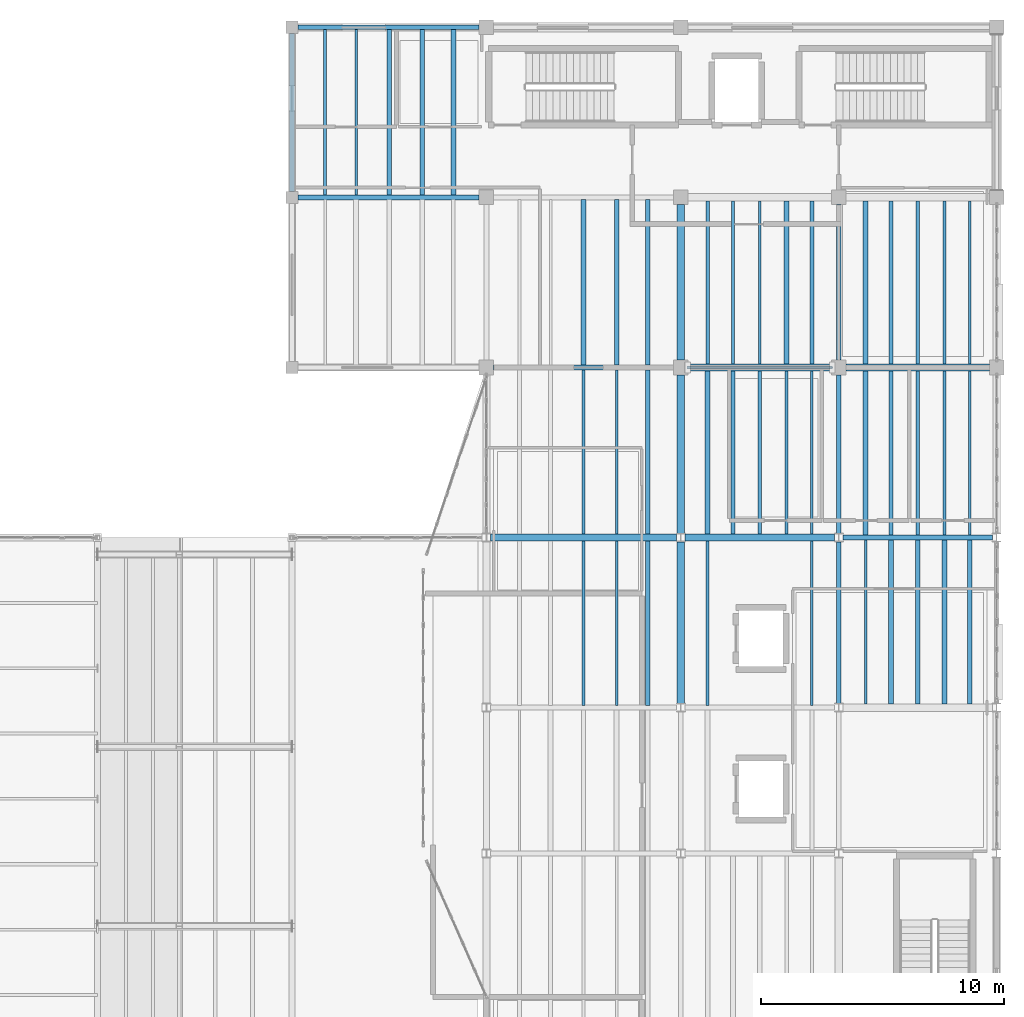
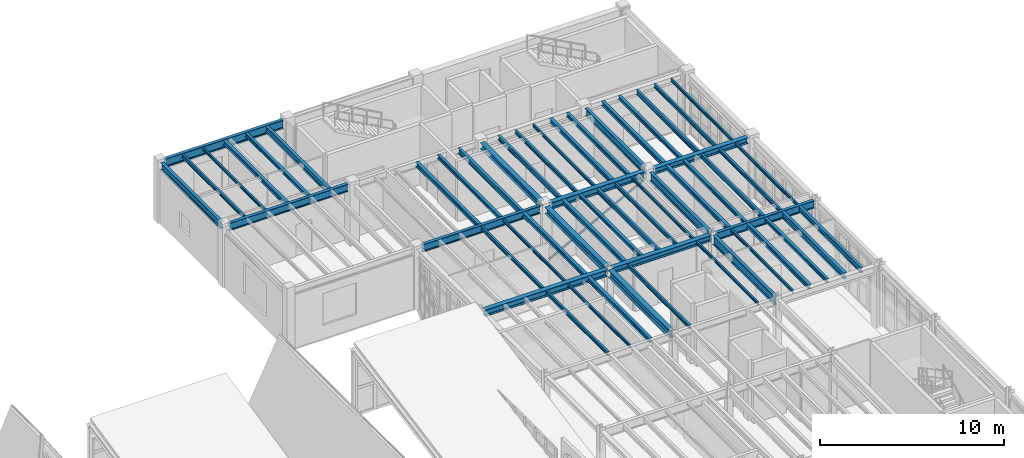
# One storey, part 40 of 77: 56 beams, 1 member.
"""IFC4 building model written with IfcOpenShell, lengths in metres."""

from ifc_helpers import new_model, si_unit, direction, frame, origin, origin_2d, place, context, subcontext, project, spatial, hollow_circle, i_section, extrude, material, material_profile, profile_set, type_object, element, save


model = new_model("IFC4")

# Units and contexts
model_context = context("Model", 3, precision=1e-05, world=origin(), true_north=direction((0.0, 1.0)))
body_context = subcontext(model_context, "Body", "Model", "MODEL_VIEW")
ifc_project = project(units=[si_unit("LENGTHUNIT", "METRE"), si_unit("AREAUNIT", "SQUARE_METRE"), si_unit("VOLUMEUNIT", "CUBIC_METRE"), si_unit("PLANEANGLEUNIT", "RADIAN"), si_unit("MASSUNIT", "GRAM", prefix="KILO"), si_unit("THERMODYNAMICTEMPERATUREUNIT", "KELVIN"), si_unit("POWERUNIT", "WATT")], contexts=[model_context])

# Site, building, storey
site_placement = place(None, origin())
site = spatial("IfcSite", under=ifc_project, at=site_placement, CompositionType="ELEMENT")
building_placement = place(site_placement, origin())
building = spatial("IfcBuilding", under=site, at=building_placement, Name="Zhenchuan Central Fire Station", CompositionType="ELEMENT")
storey_placement = place(building_placement, frame((0.0, 0.0, 10.050048828125)))
storey = spatial("IfcBuildingStorey", under=building, at=storey_placement, Name="L03", CompositionType="ELEMENT", Elevation=10.050048828125)

# Beams
ifc_material = material(Name="Steel Q355B", Category="steel")
ifc_material_profile_1 = material_profile(ifc_material, i_section(OverallWidth=0.300048828125, OverallDepth=0.389892578125, WebThickness=0.010009765625, FlangeThickness=0.01611328125, FilletRadius=0.02001953125, at=origin_2d()), Name="HM 390x300")
ifc_profile_set_1 = profile_set([ifc_material_profile_1], Name="Steel Q355B")
beam_type_1 = type_object("IfcBeamType", Name="BM-HM390-INT", PredefinedType="BEAM", material=ifc_profile_set_1)
beam_1_placement = place(storey_placement, frame((148.175048828125, 35.5, 3.804931640625), z_axis=(1.0, 0.0, 0.0), x_axis=(0.0, 1.0, 0.0)))
element("IfcBeam", 1, at=beam_1_placement, inside=storey, type_object=beam_type_1, Name="L04 Girder EW 0360", PredefinedType="BEAM", context=body_context, shape_type="SweptSolid", body=[
    extrude(i_section(OverallWidth=0.300048828125, OverallDepth=0.389892578125, WebThickness=0.010009765625, FlangeThickness=0.01611328125, FilletRadius=0.02001953125, at=origin_2d()), origin(), (0.0, 0.0, 1.0), 6.14990234375),
])
beam_2_placement = place(storey_placement, frame((154.800048828125, 42.5, 3.804931640625), z_axis=(1.0, 0.0, 0.0), x_axis=(0.0, 1.0, 0.0)))
element("IfcBeam", 2, at=beam_2_placement, inside=storey, type_object=beam_type_1, Name="L04 Girder EW 0371", PredefinedType="BEAM", context=body_context, shape_type="SweptSolid", body=[
    extrude(i_section(OverallWidth=0.300048828125, OverallDepth=0.389892578125, WebThickness=0.010009765625, FlangeThickness=0.01611328125, FilletRadius=0.02001953125, at=origin_2d()), origin(), (0.0, 0.0, 1.0), 5.89990234375),
])
beam_3_placement = place(storey_placement, frame((148.0, 42.800048828125, 3.804931640625), z_axis=(0.0, 1.0, 0.0), x_axis=(-1.0, 0.0, 0.0)))
element("IfcBeam", 3, at=beam_3_placement, inside=storey, type_object=beam_type_1, Name="L04 Girder NS 0415", PredefinedType="BEAM", context=body_context, shape_type="SweptSolid", body=[
    extrude(i_section(OverallWidth=0.300048828125, OverallDepth=0.389892578125, WebThickness=0.010009765625, FlangeThickness=0.01611328125, FilletRadius=0.02001953125, at=origin_2d()), origin(), (0.0, 0.0, 1.0), 6.39990234375),
])
ifc_material_profile_2 = material_profile(ifc_material, i_section(OverallWidth=0.300048828125, OverallDepth=0.43994140625, WebThickness=0.010986328125, FlangeThickness=0.01806640625, FilletRadius=0.02197265625, at=origin_2d()), Name="HM 440x300")
ifc_profile_set_2 = profile_set([ifc_material_profile_2], Name="Steel Q355B")
beam_type_2 = type_object("IfcBeamType", Name="BM-HM440-INT", PredefinedType="BEAM", material=ifc_profile_set_2)
beam_4_placement = place(storey_placement, frame((140.175048828125, 35.5, 3.780029296875), z_axis=(1.0, 0.0, 0.0), x_axis=(0.0, 1.0, 0.0)))
element("IfcBeam", 4, at=beam_4_placement, inside=storey, type_object=beam_type_2, Name="L04 Girder EW 0359", PredefinedType="BEAM", context=body_context, shape_type="SweptSolid", body=[
    extrude(i_section(OverallWidth=0.300048828125, OverallDepth=0.43994140625, WebThickness=0.010986328125, FlangeThickness=0.01806640625, FilletRadius=0.02197265625, at=origin_2d()), origin(), (0.0, 0.0, 1.0), 7.64990234375),
])
beam_5_placement = place(storey_placement, frame((148.300048828125, 42.5, 3.780029296875), z_axis=(1.0, 0.0, 0.0), x_axis=(0.0, 1.0, 0.0)))
element("IfcBeam", 5, at=beam_5_placement, inside=storey, type_object=beam_type_2, Name="L04 Girder EW 0370", PredefinedType="BEAM", context=body_context, shape_type="SweptSolid", body=[
    extrude(i_section(OverallWidth=0.300048828125, OverallDepth=0.43994140625, WebThickness=0.010986328125, FlangeThickness=0.01806640625, FilletRadius=0.02197265625, at=origin_2d()), origin(), (0.0, 0.0, 1.0), 5.89990234375),
])
beam_6_placement = place(storey_placement, frame((148.0, 35.675048828125, 3.780029296875), z_axis=(0.0, 1.0, 0.0), x_axis=(-1.0, 0.0, 0.0)))
element("IfcBeam", 6, at=beam_6_placement, inside=storey, type_object=beam_type_2, Name="L04 Girder NS 0414", PredefinedType="BEAM", context=body_context, shape_type="SweptSolid", body=[
    extrude(i_section(OverallWidth=0.300048828125, OverallDepth=0.43994140625, WebThickness=0.010986328125, FlangeThickness=0.01806640625, FilletRadius=0.02197265625, at=origin_2d()), origin(), (0.0, 0.0, 1.0), 6.52490234375),
])
ifc_material_profile_3 = material_profile(ifc_material, i_section(OverallWidth=0.300048828125, OverallDepth=0.5, WebThickness=0.010986328125, FlangeThickness=0.01806640625, FilletRadius=0.02197265625, at=origin_2d()), Name="HM 500x300")
ifc_profile_set_3 = profile_set([ifc_material_profile_3], Name="Steel Q355B")
beam_type_3 = type_object("IfcBeamType", Name="BM-HM500-INT", PredefinedType="BEAM", material=ifc_profile_set_3)
beam_7_placement = place(storey_placement, frame((148.0, 28.675048828125, 3.75), z_axis=(0.0, 1.0, 0.0), x_axis=(-1.0, 0.0, 0.0)))
element("IfcBeam", 7, at=beam_7_placement, inside=storey, type_object=beam_type_3, Name="L04 Girder NS 0413", PredefinedType="BEAM", context=body_context, shape_type="SweptSolid", body=[
    extrude(i_section(OverallWidth=0.300048828125, OverallDepth=0.5, WebThickness=0.010986328125, FlangeThickness=0.01806640625, FilletRadius=0.02197265625, at=origin_2d()), origin(), (0.0, 0.0, 1.0), 6.64990234375),
])
ifc_material_profile_4 = material_profile(ifc_material, i_section(OverallWidth=0.199951171875, OverallDepth=0.449951171875, WebThickness=0.009033203125, FlangeThickness=0.013916015625, FilletRadius=0.01806640625, at=origin_2d()), Name="HN 450x200")
ifc_profile_set_4 = profile_set([ifc_material_profile_4], Name="Steel Q355B")
beam_type_4 = type_object("IfcBeamType", Name="BM-HN450", PredefinedType="BEAM", material=ifc_profile_set_4)
beam_8_placement = place(storey_placement, frame((132.0, 49.75, 3.77490234375), z_axis=(0.0, 1.0, 0.0), x_axis=(-1.0, 0.0, 0.0)))
element("IfcBeam", 8, at=beam_8_placement, inside=storey, type_object=beam_type_4, Name="L04 Girder NS 0401", PredefinedType="BEAM", context=body_context, shape_type="SweptSolid", body=[
    extrude(i_section(OverallWidth=0.199951171875, OverallDepth=0.449951171875, WebThickness=0.009033203125, FlangeThickness=0.013916015625, FilletRadius=0.01806640625, at=origin_2d()), origin(), (0.0, 0.0, 1.0), 6.5),
])
ifc_material_profile_5 = material_profile(ifc_material, i_section(OverallWidth=0.199951171875, OverallDepth=0.5, WebThickness=0.010009765625, FlangeThickness=0.01611328125, FilletRadius=0.02001953125, at=origin_2d()), Name="HN 500x200")
ifc_profile_set_5 = profile_set([ifc_material_profile_5], Name="Steel Q355B")
beam_type_5 = type_object("IfcBeamType", Name="BM-HN500-INT", PredefinedType="BEAM", material=ifc_profile_set_5)
beam_9_placement = place(storey_placement, frame((132.25, 49.5, 3.75), z_axis=(1.0, 0.0, 0.0), x_axis=(0.0, 1.0, 0.0)))
element("IfcBeam", 9, at=beam_9_placement, inside=storey, type_object=beam_type_5, Name="L04 Girder EW 0378", PredefinedType="BEAM", context=body_context, shape_type="SweptSolid", body=[
    extrude(i_section(OverallWidth=0.199951171875, OverallDepth=0.5, WebThickness=0.010009765625, FlangeThickness=0.01611328125, FilletRadius=0.02001953125, at=origin_2d()), origin(), (0.0, 0.0, 1.0), 7.449951171875),
])
beam_10_placement = place(storey_placement, frame((154.5, 42.800048828125, 3.75), z_axis=(0.0, 1.0, 0.0), x_axis=(-1.0, 0.0, 0.0)))
element("IfcBeam", 10, at=beam_10_placement, inside=storey, type_object=beam_type_5, Name="L04 Girder NS 0422", PredefinedType="BEAM", context=body_context, shape_type="SweptSolid", body=[
    extrude(i_section(OverallWidth=0.199951171875, OverallDepth=0.5, WebThickness=0.010009765625, FlangeThickness=0.01611328125, FilletRadius=0.02001953125, at=origin_2d()), origin(), (0.0, 0.0, 1.0), 6.39990234375),
])
ifc_material_profile_6 = material_profile(ifc_material, i_section(OverallWidth=0.199951171875, OverallDepth=0.550048828125, WebThickness=0.010009765625, FlangeThickness=0.01611328125, FilletRadius=0.02001953125, at=origin_2d()), Name="HN 550x200")
ifc_profile_set_6 = profile_set([ifc_material_profile_6], Name="Steel Q355B")
beam_type_6 = type_object("IfcBeamType", Name="BM-HN550", PredefinedType="BEAM", material=ifc_profile_set_6)
beam_11_placement = place(storey_placement, frame((132.25, 56.5, 3.724853515625), z_axis=(1.0, 0.0, 0.0), x_axis=(0.0, 1.0, 0.0)))
element("IfcBeam", 11, at=beam_11_placement, inside=storey, type_object=beam_type_6, Name="L04 Girder EW 0388", PredefinedType="BEAM", context=body_context, shape_type="SweptSolid", body=[
    extrude(i_section(OverallWidth=0.199951171875, OverallDepth=0.550048828125, WebThickness=0.010009765625, FlangeThickness=0.01611328125, FilletRadius=0.02001953125, at=origin_2d()), origin(), (0.0, 0.0, 1.0), 7.449951171875),
])
ifc_material_profile_7 = material_profile(ifc_material, i_section(OverallWidth=0.199951171875, OverallDepth=0.550048828125, WebThickness=0.010009765625, FlangeThickness=0.01611328125, FilletRadius=0.02001953125, at=origin_2d()), Name="HN 550x200")
ifc_profile_set_7 = profile_set([ifc_material_profile_7], Name="Steel Q355B")
beam_type_7 = type_object("IfcBeamType", Name="BM-HN550-INT", PredefinedType="BEAM", material=ifc_profile_set_7)
beam_12_placement = place(storey_placement, frame((154.5, 35.675048828125, 3.724853515625), z_axis=(0.0, 1.0, 0.0), x_axis=(-1.0, 0.0, 0.0)))
element("IfcBeam", 12, at=beam_12_placement, inside=storey, type_object=beam_type_7, Name="L04 Girder NS 0421", PredefinedType="BEAM", context=body_context, shape_type="SweptSolid", body=[
    extrude(i_section(OverallWidth=0.199951171875, OverallDepth=0.550048828125, WebThickness=0.010009765625, FlangeThickness=0.01611328125, FilletRadius=0.02001953125, at=origin_2d()), origin(), (0.0, 0.0, 1.0), 6.52490234375),
])
ifc_material_profile_8 = material_profile(ifc_material, i_section(OverallWidth=0.199951171875, OverallDepth=0.60009765625, WebThickness=0.010986328125, FlangeThickness=0.01708984375, FilletRadius=0.02197265625, at=origin_2d()), Name="HN 600x200")
ifc_profile_set_8 = profile_set([ifc_material_profile_8], Name="Steel Q355B")
beam_type_8 = type_object("IfcBeamType", Name="BM-HN600-INT", PredefinedType="BEAM", material=ifc_profile_set_8)
beam_13_placement = place(storey_placement, frame((154.5, 28.675048828125, 3.699951171875), z_axis=(0.0, 1.0, 0.0), x_axis=(-1.0, 0.0, 0.0)))
element("IfcBeam", 13, at=beam_13_placement, inside=storey, type_object=beam_type_8, Name="L04 Girder NS 0420", PredefinedType="BEAM", context=body_context, shape_type="SweptSolid", body=[
    extrude(i_section(OverallWidth=0.199951171875, OverallDepth=0.60009765625, WebThickness=0.010986328125, FlangeThickness=0.01708984375, FilletRadius=0.02197265625, at=origin_2d()), origin(), (0.0, 0.0, 1.0), 6.64990234375),
])
ifc_material_profile_9 = material_profile(ifc_material, i_section(OverallWidth=0.175048828125, OverallDepth=0.243896484375, WebThickness=0.007080078125, FlangeThickness=0.010986328125, FilletRadius=0.012939453125, at=origin_2d()), Name="HM 244x175")
ifc_profile_set_9 = profile_set([ifc_material_profile_9], Name="Steel Q355B")
beam_type_9 = type_object("IfcBeamType", Name="JS-HM244", PredefinedType="JOIST", material=ifc_profile_set_9)
beam_14_placement = place(storey_placement, frame((157.75, 28.64697265625, 3.8779296875), z_axis=(0.0, 1.0, 0.0), x_axis=(-1.0, 0.0, 0.0)))
element("IfcBeam", 14, at=beam_14_placement, inside=storey, type_object=beam_type_9, Name="L04 Secondary Joist 0616", PredefinedType="JOIST", context=body_context, shape_type="SweptSolid", body=[
    extrude(i_section(OverallWidth=0.175048828125, OverallDepth=0.243896484375, WebThickness=0.007080078125, FlangeThickness=0.010986328125, FilletRadius=0.012939453125, at=origin_2d()), origin(), (0.0, 0.0, 1.0), 6.756103515625),
])
beam_15_placement = place(storey_placement, frame((150.14501953125, 35.64697265625, 3.8779296875), z_axis=(0.0, 1.0, 0.0), x_axis=(-1.0, 0.0, 0.0)))
element("IfcBeam", 15, at=beam_15_placement, inside=storey, type_object=beam_type_9, Name="L04 Secondary Joist 0625", PredefinedType="JOIST", context=body_context, shape_type="SweptSolid", body=[
    extrude(i_section(OverallWidth=0.175048828125, OverallDepth=0.243896484375, WebThickness=0.007080078125, FlangeThickness=0.010986328125, FilletRadius=0.012939453125, at=origin_2d()), origin(), (0.0, 0.0, 1.0), 6.7060546875),
])
beam_16_placement = place(storey_placement, frame((156.64501953125, 35.596923828125, 3.8779296875), z_axis=(0.0, 1.0, 0.0), x_axis=(-1.0, 0.0, 0.0)))
element("IfcBeam", 16, at=beam_16_placement, inside=storey, type_object=beam_type_9, Name="L04 Secondary Joist 0630", PredefinedType="JOIST", context=body_context, shape_type="SweptSolid", body=[
    extrude(i_section(OverallWidth=0.175048828125, OverallDepth=0.243896484375, WebThickness=0.007080078125, FlangeThickness=0.010986328125, FilletRadius=0.012939453125, at=origin_2d()), origin(), (0.0, 0.0, 1.0), 6.756103515625),
])
beam_17_placement = place(storey_placement, frame((145.360107421875, 42.596923828125, 3.8779296875), z_axis=(0.0, 1.0, 0.0), x_axis=(-1.0, 0.0, 0.0)))
element("IfcBeam", 17, at=beam_17_placement, inside=storey, type_object=beam_type_9, Name="L04 Secondary Joist 0672", PredefinedType="JOIST", context=body_context, shape_type="SweptSolid", body=[
    extrude(i_section(OverallWidth=0.175048828125, OverallDepth=0.243896484375, WebThickness=0.007080078125, FlangeThickness=0.010986328125, FilletRadius=0.012939453125, at=origin_2d()), origin(), (0.0, 0.0, 1.0), 6.80615234375),
])
for number, where, z_axis, x_axis, name in (
    (18, (153.39501953125, 42.64697265625, 3.8779296875), (0.0, 1.0, 0.0), (-1.0, 0.0, 0.0), "L04 Secondary Joist 0678"),
    (19, (156.64501953125, 42.64697265625, 3.8779296875), (0.0, 1.0, 0.0), (-1.0, 0.0, 0.0), "L04 Secondary Joist 0680"),
):
    element("IfcBeam", number, at=place(storey_placement, frame(where, z_axis=z_axis, x_axis=x_axis)), inside=storey, type_object=beam_type_9, Name=name, PredefinedType="JOIST", context=body_context, shape_type="SweptSolid", body=[
        extrude(i_section(OverallWidth=0.175048828125, OverallDepth=0.243896484375, WebThickness=0.007080078125, FlangeThickness=0.010986328125, FilletRadius=0.012939453125, at=origin_2d()), origin(), (0.0, 0.0, 1.0), 6.7060546875),
    ])
beam_18_placement = place(storey_placement, frame((137.360107421875, 49.596923828125, 3.8779296875), z_axis=(0.0, 1.0, 0.0), x_axis=(-1.0, 0.0, 0.0)))
element("IfcBeam", 20, at=beam_18_placement, inside=storey, type_object=beam_type_9, Name="L04 Secondary Joist 0700", PredefinedType="JOIST", context=body_context, shape_type="SweptSolid", body=[
    extrude(i_section(OverallWidth=0.175048828125, OverallDepth=0.243896484375, WebThickness=0.007080078125, FlangeThickness=0.010986328125, FilletRadius=0.012939453125, at=origin_2d()), origin(), (0.0, 0.0, 1.0), 6.80615234375),
])
ifc_material_profile_10 = material_profile(ifc_material, i_section(OverallWidth=0.199951171875, OverallDepth=0.2939453125, WebThickness=0.008056640625, FlangeThickness=0.011962890625, FilletRadius=0.01611328125, at=origin_2d()), Name="HM 294x200")
ifc_profile_set_10 = profile_set([ifc_material_profile_10], Name="Steel Q355B")
beam_type_10 = type_object("IfcBeamType", Name="JS-HM294", PredefinedType="JOIST", material=ifc_profile_set_10)
for number, where, z_axis, x_axis, name in (
    (21, (146.639892578125, 28.596923828125, 3.85302734375), (0.0, 1.0, 0.0), (-1.0, 0.0, 0.0), "L04 Secondary Joist 0611"),
    (22, (156.64501953125, 28.64697265625, 3.85302734375), (0.0, 1.0, 0.0), (-1.0, 0.0, 0.0), "L04 Secondary Joist 0615"),
    (23, (146.639892578125, 35.64697265625, 3.85302734375), (0.0, 1.0, 0.0), (-1.0, 0.0, 0.0), "L04 Secondary Joist 0623"),
):
    element("IfcBeam", number, at=place(storey_placement, frame(where, z_axis=z_axis, x_axis=x_axis)), inside=storey, type_object=beam_type_10, Name=name, PredefinedType="JOIST", context=body_context, shape_type="SweptSolid", body=[
        extrude(i_section(OverallWidth=0.199951171875, OverallDepth=0.2939453125, WebThickness=0.008056640625, FlangeThickness=0.011962890625, FilletRadius=0.01611328125, at=origin_2d()), origin(), (0.0, 0.0, 1.0), 6.756103515625),
    ])
beam_19_placement = place(storey_placement, frame((149.10498046875, 35.64697265625, 3.85302734375), z_axis=(0.0, 1.0, 0.0), x_axis=(-1.0, 0.0, 0.0)))
element("IfcBeam", 24, at=beam_19_placement, inside=storey, type_object=beam_type_10, Name="L04 Secondary Joist 0624", PredefinedType="JOIST", context=body_context, shape_type="SweptSolid", body=[
    extrude(i_section(OverallWidth=0.199951171875, OverallDepth=0.2939453125, WebThickness=0.008056640625, FlangeThickness=0.011962890625, FilletRadius=0.01611328125, at=origin_2d()), origin(), (0.0, 0.0, 1.0), 6.7060546875),
])
beam_20_placement = place(storey_placement, frame((155.60498046875, 35.596923828125, 3.85302734375), z_axis=(0.0, 1.0, 0.0), x_axis=(-1.0, 0.0, 0.0)))
element("IfcBeam", 25, at=beam_20_placement, inside=storey, type_object=beam_type_10, Name="L04 Secondary Joist 0629", PredefinedType="JOIST", context=body_context, shape_type="SweptSolid", body=[
    extrude(i_section(OverallWidth=0.199951171875, OverallDepth=0.2939453125, WebThickness=0.008056640625, FlangeThickness=0.011962890625, FilletRadius=0.01611328125, at=origin_2d()), origin(), (0.0, 0.0, 1.0), 6.756103515625),
])
beam_21_placement = place(storey_placement, frame((144.0, 42.596923828125, 3.85302734375), z_axis=(0.0, 1.0, 0.0), x_axis=(-1.0, 0.0, 0.0)))
element("IfcBeam", 26, at=beam_21_placement, inside=storey, type_object=beam_type_10, Name="L04 Secondary Joist 0671", PredefinedType="JOIST", context=body_context, shape_type="SweptSolid", body=[
    extrude(i_section(OverallWidth=0.199951171875, OverallDepth=0.2939453125, WebThickness=0.008056640625, FlangeThickness=0.011962890625, FilletRadius=0.01611328125, at=origin_2d()), origin(), (0.0, 0.0, 1.0), 6.80615234375),
])
for number, where, z_axis, x_axis, name in (
    (27, (152.35498046875, 42.64697265625, 3.85302734375), (0.0, 1.0, 0.0), (-1.0, 0.0, 0.0), "L04 Secondary Joist 0677"),
    (28, (155.60498046875, 42.64697265625, 3.85302734375), (0.0, 1.0, 0.0), (-1.0, 0.0, 0.0), "L04 Secondary Joist 0679"),
):
    element("IfcBeam", number, at=place(storey_placement, frame(where, z_axis=z_axis, x_axis=x_axis)), inside=storey, type_object=beam_type_10, Name=name, PredefinedType="JOIST", context=body_context, shape_type="SweptSolid", body=[
        extrude(i_section(OverallWidth=0.199951171875, OverallDepth=0.2939453125, WebThickness=0.008056640625, FlangeThickness=0.011962890625, FilletRadius=0.01611328125, at=origin_2d()), origin(), (0.0, 0.0, 1.0), 6.7060546875),
    ])
beam_22_placement = place(storey_placement, frame((136.0, 49.596923828125, 3.85302734375), z_axis=(0.0, 1.0, 0.0), x_axis=(-1.0, 0.0, 0.0)))
element("IfcBeam", 29, at=beam_22_placement, inside=storey, type_object=beam_type_10, Name="L04 Secondary Joist 0699", PredefinedType="JOIST", context=body_context, shape_type="SweptSolid", body=[
    extrude(i_section(OverallWidth=0.199951171875, OverallDepth=0.2939453125, WebThickness=0.008056640625, FlangeThickness=0.011962890625, FilletRadius=0.01611328125, at=origin_2d()), origin(), (0.0, 0.0, 1.0), 6.80615234375),
])
ifc_material_profile_11 = material_profile(ifc_material, i_section(OverallWidth=0.10009765625, OverallDepth=0.199951171875, WebThickness=0.005615234375, FlangeThickness=0.008056640625, FilletRadius=0.010986328125, at=origin_2d()), Name="HN 200x100")
ifc_profile_set_11 = profile_set([ifc_material_profile_11], Name="Steel Q355B")
beam_type_11 = type_object("IfcBeamType", Name="JS-HN200", PredefinedType="JOIST", material=ifc_profile_set_11)
for number, where, z_axis, x_axis, name in (
    (30, (145.360107421875, 28.596923828125, 3.89990234375), (0.0, 1.0, 0.0), (-1.0, 0.0, 0.0), "L04 Secondary Joist 0610"),
    (31, (153.39501953125, 28.596923828125, 3.89990234375), (0.0, 1.0, 0.0), (-1.0, 0.0, 0.0), "L04 Secondary Joist 0613"),
    (32, (155.60498046875, 28.64697265625, 3.89990234375), (0.0, 1.0, 0.0), (-1.0, 0.0, 0.0), "L04 Secondary Joist 0614"),
    (33, (145.360107421875, 35.64697265625, 3.89990234375), (0.0, 1.0, 0.0), (-1.0, 0.0, 0.0), "L04 Secondary Joist 0622"),
):
    element("IfcBeam", number, at=place(storey_placement, frame(where, z_axis=z_axis, x_axis=x_axis)), inside=storey, type_object=beam_type_11, Name=name, PredefinedType="JOIST", context=body_context, shape_type="SweptSolid", body=[
        extrude(i_section(OverallWidth=0.10009765625, OverallDepth=0.199951171875, WebThickness=0.005615234375, FlangeThickness=0.008056640625, FilletRadius=0.010986328125, at=origin_2d()), origin(), (0.0, 0.0, 1.0), 6.756103515625),
    ])
beam_23_placement = place(storey_placement, frame((153.39501953125, 35.64697265625, 3.89990234375), z_axis=(0.0, 1.0, 0.0), x_axis=(-1.0, 0.0, 0.0)))
element("IfcBeam", 34, at=beam_23_placement, inside=storey, type_object=beam_type_11, Name="L04 Secondary Joist 0628", PredefinedType="JOIST", context=body_context, shape_type="SweptSolid", body=[
    extrude(i_section(OverallWidth=0.10009765625, OverallDepth=0.199951171875, WebThickness=0.005615234375, FlangeThickness=0.008056640625, FilletRadius=0.010986328125, at=origin_2d()), origin(), (0.0, 0.0, 1.0), 6.7060546875),
])
beam_24_placement = place(storey_placement, frame((159.89501953125, 35.596923828125, 3.89990234375), z_axis=(0.0, 1.0, 0.0), x_axis=(-1.0, 0.0, 0.0)))
element("IfcBeam", 35, at=beam_24_placement, inside=storey, type_object=beam_type_11, Name="L04 Secondary Joist 0633", PredefinedType="JOIST", context=body_context, shape_type="SweptSolid", body=[
    extrude(i_section(OverallWidth=0.10009765625, OverallDepth=0.199951171875, WebThickness=0.005615234375, FlangeThickness=0.008056640625, FilletRadius=0.010986328125, at=origin_2d()), origin(), (0.0, 0.0, 1.0), 6.756103515625),
])
for number, where, z_axis, x_axis, name in (
    (36, (151.25, 42.64697265625, 3.89990234375), (0.0, 1.0, 0.0), (-1.0, 0.0, 0.0), "L04 Secondary Joist 0676"),
    (37, (159.89501953125, 42.64697265625, 3.89990234375), (0.0, 1.0, 0.0), (-1.0, 0.0, 0.0), "L04 Secondary Joist 0683"),
):
    element("IfcBeam", number, at=place(storey_placement, frame(where, z_axis=z_axis, x_axis=x_axis)), inside=storey, type_object=beam_type_11, Name=name, PredefinedType="JOIST", context=body_context, shape_type="SweptSolid", body=[
        extrude(i_section(OverallWidth=0.10009765625, OverallDepth=0.199951171875, WebThickness=0.005615234375, FlangeThickness=0.008056640625, FilletRadius=0.010986328125, at=origin_2d()), origin(), (0.0, 0.0, 1.0), 6.7060546875),
    ])
beam_25_placement = place(storey_placement, frame((134.639892578125, 49.596923828125, 3.89990234375), z_axis=(0.0, 1.0, 0.0), x_axis=(-1.0, 0.0, 0.0)))
element("IfcBeam", 38, at=beam_25_placement, inside=storey, type_object=beam_type_11, Name="L04 Secondary Joist 0698", PredefinedType="JOIST", context=body_context, shape_type="SweptSolid", body=[
    extrude(i_section(OverallWidth=0.10009765625, OverallDepth=0.199951171875, WebThickness=0.005615234375, FlangeThickness=0.008056640625, FilletRadius=0.010986328125, at=origin_2d()), origin(), (0.0, 0.0, 1.0), 6.80615234375),
])
ifc_material_profile_12 = material_profile(ifc_material, i_section(OverallWidth=0.125, OverallDepth=0.25, WebThickness=0.006103515625, FlangeThickness=0.009033203125, FilletRadius=0.011962890625, at=origin_2d()), Name="HN 250x125")
ifc_profile_set_12 = profile_set([ifc_material_profile_12], Name="Steel Q355B")
beam_type_12 = type_object("IfcBeamType", Name="JS-HN250", PredefinedType="JOIST", material=ifc_profile_set_12)
for number, where, z_axis, x_axis, name in (
    (39, (144.0, 28.596923828125, 3.875), (0.0, 1.0, 0.0), (-1.0, 0.0, 0.0), "L04 Secondary Joist 0609"),
    (40, (149.10498046875, 28.596923828125, 3.875), (0.0, 1.0, 0.0), (-1.0, 0.0, 0.0), "L04 Secondary Joist 0612"),
    (41, (144.0, 35.64697265625, 3.875), (0.0, 1.0, 0.0), (-1.0, 0.0, 0.0), "L04 Secondary Joist 0621"),
):
    element("IfcBeam", number, at=place(storey_placement, frame(where, z_axis=z_axis, x_axis=x_axis)), inside=storey, type_object=beam_type_12, Name=name, PredefinedType="JOIST", context=body_context, shape_type="SweptSolid", body=[
        extrude(i_section(OverallWidth=0.125, OverallDepth=0.25, WebThickness=0.006103515625, FlangeThickness=0.009033203125, FilletRadius=0.011962890625, at=origin_2d()), origin(), (0.0, 0.0, 1.0), 6.756103515625),
    ])
beam_26_placement = place(storey_placement, frame((152.35498046875, 35.64697265625, 3.875), z_axis=(0.0, 1.0, 0.0), x_axis=(-1.0, 0.0, 0.0)))
element("IfcBeam", 42, at=beam_26_placement, inside=storey, type_object=beam_type_12, Name="L04 Secondary Joist 0627", PredefinedType="JOIST", context=body_context, shape_type="SweptSolid", body=[
    extrude(i_section(OverallWidth=0.125, OverallDepth=0.25, WebThickness=0.006103515625, FlangeThickness=0.009033203125, FilletRadius=0.011962890625, at=origin_2d()), origin(), (0.0, 0.0, 1.0), 6.7060546875),
])
beam_27_placement = place(storey_placement, frame((158.85498046875, 35.596923828125, 3.875), z_axis=(0.0, 1.0, 0.0), x_axis=(-1.0, 0.0, 0.0)))
element("IfcBeam", 43, at=beam_27_placement, inside=storey, type_object=beam_type_12, Name="L04 Secondary Joist 0632", PredefinedType="JOIST", context=body_context, shape_type="SweptSolid", body=[
    extrude(i_section(OverallWidth=0.125, OverallDepth=0.25, WebThickness=0.006103515625, FlangeThickness=0.009033203125, FilletRadius=0.011962890625, at=origin_2d()), origin(), (0.0, 0.0, 1.0), 6.756103515625),
])
for number, where, z_axis, x_axis, name in (
    (44, (150.14501953125, 42.64697265625, 3.875), (0.0, 1.0, 0.0), (-1.0, 0.0, 0.0), "L04 Secondary Joist 0675"),
    (45, (158.85498046875, 42.64697265625, 3.875), (0.0, 1.0, 0.0), (-1.0, 0.0, 0.0), "L04 Secondary Joist 0682"),
):
    element("IfcBeam", number, at=place(storey_placement, frame(where, z_axis=z_axis, x_axis=x_axis)), inside=storey, type_object=beam_type_12, Name=name, PredefinedType="JOIST", context=body_context, shape_type="SweptSolid", body=[
        extrude(i_section(OverallWidth=0.125, OverallDepth=0.25, WebThickness=0.006103515625, FlangeThickness=0.009033203125, FilletRadius=0.011962890625, at=origin_2d()), origin(), (0.0, 0.0, 1.0), 6.7060546875),
    ])
beam_28_placement = place(storey_placement, frame((133.360107421875, 49.596923828125, 3.875), z_axis=(0.0, 1.0, 0.0), x_axis=(-1.0, 0.0, 0.0)))
element("IfcBeam", 46, at=beam_28_placement, inside=storey, type_object=beam_type_12, Name="L04 Secondary Joist 0697", PredefinedType="JOIST", context=body_context, shape_type="SweptSolid", body=[
    extrude(i_section(OverallWidth=0.125, OverallDepth=0.25, WebThickness=0.006103515625, FlangeThickness=0.009033203125, FilletRadius=0.011962890625, at=origin_2d()), origin(), (0.0, 0.0, 1.0), 6.80615234375),
])
ifc_material_profile_13 = material_profile(ifc_material, i_section(OverallWidth=0.14990234375, OverallDepth=0.300048828125, WebThickness=0.006591796875, FlangeThickness=0.009033203125, FilletRadius=0.012939453125, at=origin_2d()), Name="HN 300x150")
ifc_profile_set_13 = profile_set([ifc_material_profile_13], Name="Steel Q355B")
beam_type_13 = type_object("IfcBeamType", Name="JS-HN300", PredefinedType="JOIST", material=ifc_profile_set_13)
beam_29_placement = place(storey_placement, frame((151.25, 35.64697265625, 3.849853515625), z_axis=(0.0, 1.0, 0.0), x_axis=(-1.0, 0.0, 0.0)))
element("IfcBeam", 47, at=beam_29_placement, inside=storey, type_object=beam_type_13, Name="L04 Secondary Joist 0626", PredefinedType="JOIST", context=body_context, shape_type="SweptSolid", body=[
    extrude(i_section(OverallWidth=0.14990234375, OverallDepth=0.300048828125, WebThickness=0.006591796875, FlangeThickness=0.009033203125, FilletRadius=0.012939453125, at=origin_2d()), origin(), (0.0, 0.0, 1.0), 6.7060546875),
])
beam_30_placement = place(storey_placement, frame((157.75, 35.596923828125, 3.849853515625), z_axis=(0.0, 1.0, 0.0), x_axis=(-1.0, 0.0, 0.0)))
element("IfcBeam", 48, at=beam_30_placement, inside=storey, type_object=beam_type_13, Name="L04 Secondary Joist 0631", PredefinedType="JOIST", context=body_context, shape_type="SweptSolid", body=[
    extrude(i_section(OverallWidth=0.14990234375, OverallDepth=0.300048828125, WebThickness=0.006591796875, FlangeThickness=0.009033203125, FilletRadius=0.012939453125, at=origin_2d()), origin(), (0.0, 0.0, 1.0), 6.756103515625),
])
for number, where, z_axis, x_axis, name in (
    (49, (149.10498046875, 42.64697265625, 3.849853515625), (0.0, 1.0, 0.0), (-1.0, 0.0, 0.0), "L04 Secondary Joist 0674"),
    (50, (157.75, 42.64697265625, 3.849853515625), (0.0, 1.0, 0.0), (-1.0, 0.0, 0.0), "L04 Secondary Joist 0681"),
):
    element("IfcBeam", number, at=place(storey_placement, frame(where, z_axis=z_axis, x_axis=x_axis)), inside=storey, type_object=beam_type_13, Name=name, PredefinedType="JOIST", context=body_context, shape_type="SweptSolid", body=[
        extrude(i_section(OverallWidth=0.14990234375, OverallDepth=0.300048828125, WebThickness=0.006591796875, FlangeThickness=0.009033203125, FilletRadius=0.012939453125, at=origin_2d()), origin(), (0.0, 0.0, 1.0), 6.7060546875),
    ])
ifc_material_profile_14 = material_profile(ifc_material, i_section(OverallWidth=0.175048828125, OverallDepth=0.35009765625, WebThickness=0.007080078125, FlangeThickness=0.010986328125, FilletRadius=0.013916015625, at=origin_2d()), Name="HN 350x175")
ifc_profile_set_14 = profile_set([ifc_material_profile_14], Name="Steel Q355B")
beam_type_14 = type_object("IfcBeamType", Name="JS-HN350", PredefinedType="JOIST", material=ifc_profile_set_14)
beam_31_placement = place(storey_placement, frame((159.89501953125, 28.64697265625, 3.824951171875), z_axis=(0.0, 1.0, 0.0), x_axis=(-1.0, 0.0, 0.0)))
element("IfcBeam", 51, at=beam_31_placement, inside=storey, type_object=beam_type_14, Name="L04 Secondary Joist 0618", PredefinedType="JOIST", context=body_context, shape_type="SweptSolid", body=[
    extrude(i_section(OverallWidth=0.175048828125, OverallDepth=0.35009765625, WebThickness=0.007080078125, FlangeThickness=0.010986328125, FilletRadius=0.013916015625, at=origin_2d()), origin(), (0.0, 0.0, 1.0), 6.756103515625),
])
beam_32_placement = place(storey_placement, frame((146.639892578125, 42.596923828125, 3.824951171875), z_axis=(0.0, 1.0, 0.0), x_axis=(-1.0, 0.0, 0.0)))
element("IfcBeam", 52, at=beam_32_placement, inside=storey, type_object=beam_type_14, Name="L04 Secondary Joist 0673", PredefinedType="JOIST", context=body_context, shape_type="SweptSolid", body=[
    extrude(i_section(OverallWidth=0.175048828125, OverallDepth=0.35009765625, WebThickness=0.007080078125, FlangeThickness=0.010986328125, FilletRadius=0.013916015625, at=origin_2d()), origin(), (0.0, 0.0, 1.0), 6.80615234375),
])
ifc_material_profile_15 = material_profile(ifc_material, i_section(OverallWidth=0.199951171875, OverallDepth=0.39990234375, WebThickness=0.008056640625, FlangeThickness=0.012939453125, FilletRadius=0.01611328125, at=origin_2d()), Name="HN 400x200")
ifc_profile_set_15 = profile_set([ifc_material_profile_15], Name="Steel Q355B")
beam_type_15 = type_object("IfcBeamType", Name="JS-HN400", PredefinedType="JOIST", material=ifc_profile_set_15)
beam_33_placement = place(storey_placement, frame((158.85498046875, 28.64697265625, 3.800048828125), z_axis=(0.0, 1.0, 0.0), x_axis=(-1.0, 0.0, 0.0)))
element("IfcBeam", 53, at=beam_33_placement, inside=storey, type_object=beam_type_15, Name="L04 Secondary Joist 0617", PredefinedType="JOIST", context=body_context, shape_type="SweptSolid", body=[
    extrude(i_section(OverallWidth=0.199951171875, OverallDepth=0.39990234375, WebThickness=0.008056640625, FlangeThickness=0.012939453125, FilletRadius=0.01611328125, at=origin_2d()), origin(), (0.0, 0.0, 1.0), 6.756103515625),
])
beam_34_placement = place(storey_placement, frame((138.639892578125, 49.596923828125, 3.800048828125), z_axis=(0.0, 1.0, 0.0), x_axis=(-1.0, 0.0, 0.0)))
element("IfcBeam", 54, at=beam_34_placement, inside=storey, type_object=beam_type_15, Name="L04 Secondary Joist 0701", PredefinedType="JOIST", context=body_context, shape_type="SweptSolid", body=[
    extrude(i_section(OverallWidth=0.199951171875, OverallDepth=0.39990234375, WebThickness=0.008056640625, FlangeThickness=0.012939453125, FilletRadius=0.01611328125, at=origin_2d()), origin(), (0.0, 0.0, 1.0), 6.80615234375),
])

# Member
ifc_material_profile_16 = material_profile(ifc_material, hollow_circle(Radius=0.06982421875, WallThickness=0.008056640625, at=origin_2d()), Name="CHS 139.7x8")
ifc_profile_set_16 = profile_set([ifc_material_profile_16], Name="Steel Q355B")
member_type = type_object("IfcMemberType", Name="MB-BR-CHS140", PredefinedType="BRACE", material=ifc_profile_set_16)
member_placement = place(storey_placement, frame((148.278076171875, 42.5, 0.199951171875), z_axis=(0.88050709788, 0.0, 0.474032963604), x_axis=(0.0, 1.0, 0.0)))
element("IfcMember", 55, at=member_placement, inside=storey, type_object=member_type, Name="Interior Frame Lateral Brace 08", PredefinedType="BRACE", context=body_context, shape_type="SweptSolid", body=[
    extrude(hollow_circle(Radius=0.06982421875, WallThickness=0.008056640625, at=origin_2d()), origin(), (0.0, 0.0, 1.0), 6.75048828125),
])

# Beams
ifc_material_profile_17 = material_profile(ifc_material, i_section(OverallWidth=0.199951171875, OverallDepth=0.5, WebThickness=0.010009765625, FlangeThickness=0.01611328125, FilletRadius=0.02001953125, at=origin_2d()), Name="HN 500x200")
ifc_profile_set_17 = profile_set([ifc_material_profile_17], Name="Steel Q355B")
beam_type_16 = type_object("IfcBeamType", Name="SP-HN500-INT", PredefinedType="SPANDREL", material=ifc_profile_set_17)
beam_35_placement = place(storey_placement, frame((154.675048828125, 35.5, 3.75), z_axis=(1.0, 0.0, 0.0), x_axis=(0.0, 1.0, 0.0)))
element("IfcBeam", 56, at=beam_35_placement, inside=storey, type_object=beam_type_16, Name="L04 Girder EW 0361", PredefinedType="SPANDREL", context=body_context, shape_type="SweptSolid", body=[
    extrude(i_section(OverallWidth=0.199951171875, OverallDepth=0.5, WebThickness=0.010009765625, FlangeThickness=0.01611328125, FilletRadius=0.02001953125, at=origin_2d()), origin(), (0.0, 0.0, 1.0), 6.14990234375),
])
beam_36_placement = place(storey_placement, frame((140.300048828125, 42.5, 3.75), z_axis=(1.0, 0.0, 0.0), x_axis=(0.0, 1.0, 0.0)))
element("IfcBeam", 57, at=beam_36_placement, inside=storey, type_object=beam_type_16, Name="L04 Girder EW 0369", PredefinedType="SPANDREL", context=body_context, shape_type="SweptSolid", body=[
    extrude(i_section(OverallWidth=0.199951171875, OverallDepth=0.5, WebThickness=0.010009765625, FlangeThickness=0.01611328125, FilletRadius=0.02001953125, at=origin_2d()), origin(), (0.0, 0.0, 1.0), 7.39990234375),
])

save(model, "model.ifc")
